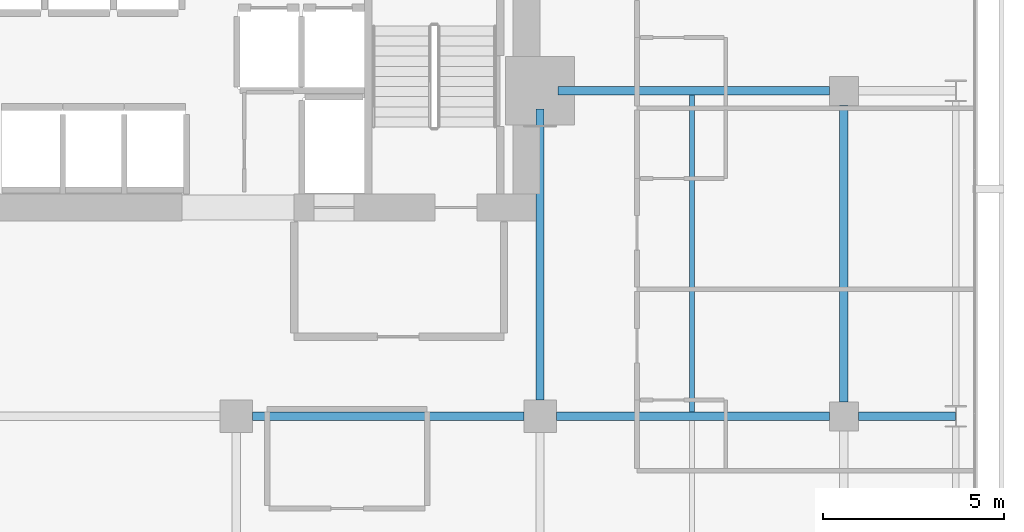
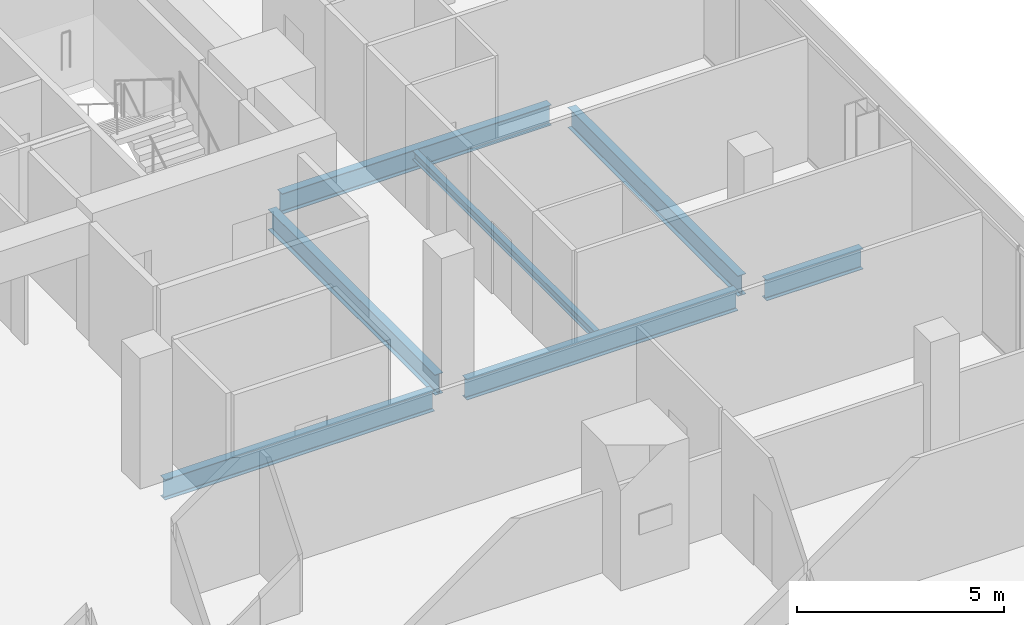
# One storey, part 23 of 34: 7 beams.
"""IFC4 building model written with IfcOpenShell, lengths in metres."""

from ifc_helpers import new_model, si_unit, direction, frame, origin, origin_2d, place, context, subcontext, project, spatial, i_section, extrude, material, material_profile, profile_set, type_object, element, save


model = new_model("IFC4")

# Units and contexts
model_context = context("Model", 3, precision=1e-05, world=origin(), true_north=direction((0.0, 1.0)))
body_context = subcontext(model_context, "Body", "Model", "MODEL_VIEW")
ifc_project = project(units=[si_unit("LENGTHUNIT", "METRE"), si_unit("AREAUNIT", "SQUARE_METRE"), si_unit("VOLUMEUNIT", "CUBIC_METRE"), si_unit("PLANEANGLEUNIT", "RADIAN"), si_unit("MASSUNIT", "GRAM", prefix="KILO")], contexts=[model_context])

# Site, building, storey
site_placement = place(None, origin())
site = spatial("IfcSite", under=ifc_project, at=site_placement, CompositionType="ELEMENT")
building_placement = place(site_placement, origin())
building = spatial("IfcBuilding", under=site, at=building_placement, Name="Maruvema Waterfront Hotel and Observation Tower", CompositionType="ELEMENT")
storey_placement = place(building_placement, frame((0.0, 0.0, 177.449951171875)))
storey = spatial("IfcBuildingStorey", under=building, at=storey_placement, Name="L43", CompositionType="ELEMENT", Elevation=177.449951171875)

# Beams
ifc_material_1 = material(Name="Steel ASTM A572 Grade 50", Category="steel")
ifc_material_profile_1 = material_profile(ifc_material_1, i_section(OverallWidth=0.22802734375, OverallDepth=0.60302734375, WebThickness=0.010498046875, FlangeThickness=0.014892578125, FilletRadius=0.01806640625, at=origin_2d()), Name="W610x101.0")
ifc_profile_set_1 = profile_set([ifc_material_profile_1], Name="Steel ASTM A572 Grade 50")
beam_type_1 = type_object("IfcBeamType", Name="Primary Floor Girder W610x101.0", PredefinedType="BEAM", material=ifc_profile_set_1)
beam_1_placement = place(storey_placement, frame((42.449951171875, 36.0, -0.54150390625), z_axis=(1.0, 0.0, 0.0), x_axis=(0.0, 1.0, 0.0)))
element("IfcBeam", 1, at=beam_1_placement, inside=storey, type_object=beam_type_1, Name="L43 Floor Girder EW-27", PredefinedType="BEAM", context=body_context, shape_type="SweptSolid", body=[
    extrude(i_section(OverallWidth=0.22802734375, OverallDepth=0.60302734375, WebThickness=0.010498046875, FlangeThickness=0.014892578125, FilletRadius=0.01806640625, at=origin_2d()), origin(), (0.0, 0.0, 1.0), 7.5),
])
beam_2_placement = place(storey_placement, frame((50.85009765625, 36.0, -0.54150390625), z_axis=(1.0, 0.0, 0.0), x_axis=(0.0, 1.0, 0.0)))
element("IfcBeam", 2, at=beam_2_placement, inside=storey, type_object=beam_type_1, Name="L43 Floor Girder EW-28", PredefinedType="BEAM", context=body_context, shape_type="SweptSolid", body=[
    extrude(i_section(OverallWidth=0.22802734375, OverallDepth=0.60302734375, WebThickness=0.010498046875, FlangeThickness=0.014892578125, FilletRadius=0.01806640625, at=origin_2d()), origin(), (0.0, 0.0, 1.0), 7.5498046875),
])
beam_3_placement = place(storey_placement, frame((59.199951171875, 36.0, -0.54150390625), z_axis=(1.0, 0.0, 0.0), x_axis=(0.0, 1.0, 0.0)))
element("IfcBeam", 3, at=beam_3_placement, inside=storey, type_object=beam_type_1, Name="L43 Floor Girder EW-29", PredefinedType="BEAM", context=body_context, shape_type="SweptSolid", body=[
    extrude(i_section(OverallWidth=0.22802734375, OverallDepth=0.60302734375, WebThickness=0.010498046875, FlangeThickness=0.014892578125, FilletRadius=0.01806640625, at=origin_2d()), origin(), (0.0, 0.0, 1.0), 2.6875),
])
beam_4_placement = place(storey_placement, frame((50.89990234375, 45.0, -0.54150390625), z_axis=(1.0, 0.0, 0.0), x_axis=(0.0, 1.0, 0.0)))
element("IfcBeam", 4, at=beam_4_placement, inside=storey, type_object=beam_type_1, Name="L43 Floor Girder EW-32", PredefinedType="BEAM", context=body_context, shape_type="SweptSolid", body=[
    extrude(i_section(OverallWidth=0.22802734375, OverallDepth=0.60302734375, WebThickness=0.010498046875, FlangeThickness=0.014892578125, FilletRadius=0.01806640625, at=origin_2d()), origin(), (0.0, 0.0, 1.0), 7.5),
])
beam_5_placement = place(storey_placement, frame((50.39990234375, 36.449951171875, -0.54150390625), z_axis=(0.0, 1.0, 0.0), x_axis=(-1.0, 0.0, 0.0)))
element("IfcBeam", 5, at=beam_5_placement, inside=storey, type_object=beam_type_1, Name="L43 Floor Girder NS-24", PredefinedType="BEAM", context=body_context, shape_type="SweptSolid", body=[
    extrude(i_section(OverallWidth=0.22802734375, OverallDepth=0.60302734375, WebThickness=0.010498046875, FlangeThickness=0.014892578125, FilletRadius=0.01806640625, at=origin_2d()), origin(), (0.0, 0.0, 1.0), 8.050048828125),
])
beam_6_placement = place(storey_placement, frame((58.800048828125, 36.39990234375, -0.54150390625), z_axis=(0.0, 1.0, 0.0), x_axis=(-1.0, 0.0, 0.0)))
element("IfcBeam", 6, at=beam_6_placement, inside=storey, type_object=beam_type_1, Name="L43 Floor Girder NS-28", PredefinedType="BEAM", context=body_context, shape_type="SweptSolid", body=[
    extrude(i_section(OverallWidth=0.22802734375, OverallDepth=0.60302734375, WebThickness=0.010498046875, FlangeThickness=0.014892578125, FilletRadius=0.01806640625, at=origin_2d()), origin(), (0.0, 0.0, 1.0), 8.2001953125),
])
ifc_material_2 = material(Name="Steel ASTM A572 Grade 50", Category="steel")
ifc_material_profile_2 = material_profile(ifc_material_2, i_section(OverallWidth=0.14599609375, OverallDepth=0.258056640625, WebThickness=0.006103515625, FlangeThickness=0.009033203125, FilletRadius=0.012939453125, at=origin_2d()), Name="W250x32.7")
ifc_profile_set_2 = profile_set([ifc_material_profile_2], Name="Steel ASTM A572 Grade 50")
beam_type_2 = type_object("IfcBeamType", Name="Secondary Floor Joist W250x32.7", PredefinedType="JOIST", material=ifc_profile_set_2)
beam_7_placement = place(storey_placement, frame((54.60009765625, 36.114013671875, -0.368896484375), z_axis=(0.0, 1.0, 0.0), x_axis=(-1.0, 0.0, 0.0)))
element("IfcBeam", 7, at=beam_7_placement, inside=storey, type_object=beam_type_2, Name="L43 Secondary Floor Joist JS-14", PredefinedType="JOIST", context=body_context, shape_type="SweptSolid", body=[
    extrude(i_section(OverallWidth=0.14599609375, OverallDepth=0.258056640625, WebThickness=0.006103515625, FlangeThickness=0.009033203125, FilletRadius=0.012939453125, at=origin_2d()), origin(), (0.0, 0.0, 1.0), 8.77197265625),
])

save(model, "model.ifc")
